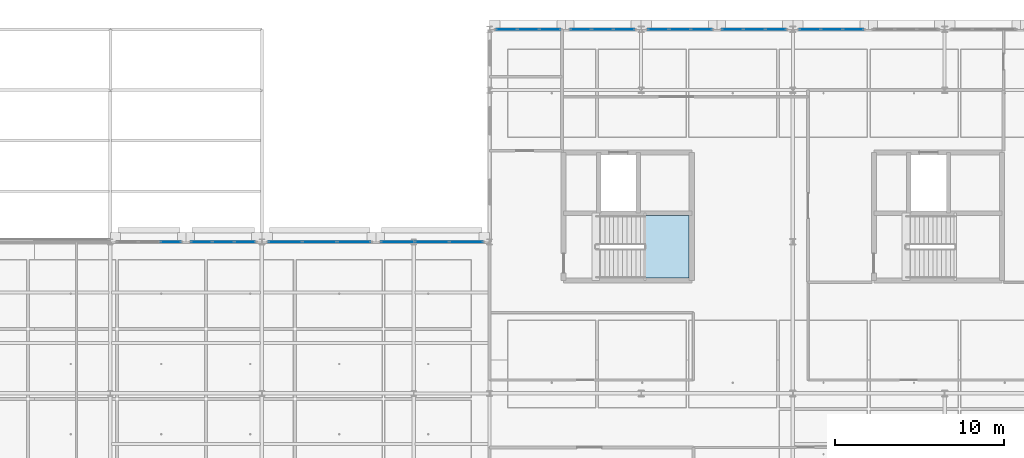
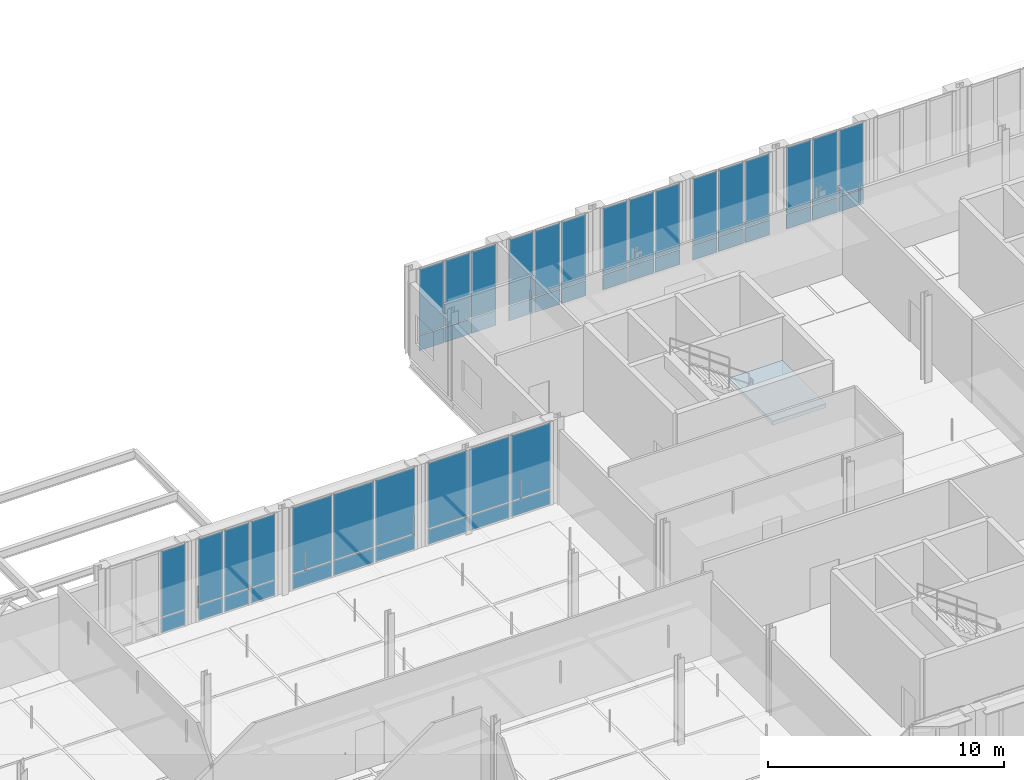
# One storey, part 76 of 140: 50 plates, 1 slab, 10 elements without a shape of their own.
"""IFC4 building model written with IfcOpenShell, lengths in metres."""

from ifc_helpers import new_model, si_unit, direction, frame, origin, origin_2d, place, context, subcontext, project, spatial, polyline, rectangle, outline, extrude, material, layer, layer_set, type_object, element, aggregate, save


model = new_model("IFC4")

# Units and contexts
model_context = context("Model", 3, precision=1e-05, world=origin(), true_north=direction((0.0, 1.0)))
body_context = subcontext(model_context, "Body", "Model", "MODEL_VIEW")
ifc_project = project(units=[si_unit("LENGTHUNIT", "METRE"), si_unit("AREAUNIT", "SQUARE_METRE"), si_unit("VOLUMEUNIT", "CUBIC_METRE"), si_unit("PLANEANGLEUNIT", "RADIAN"), si_unit("MASSUNIT", "GRAM", prefix="KILO"), si_unit("THERMODYNAMICTEMPERATUREUNIT", "KELVIN"), si_unit("POWERUNIT", "WATT")], contexts=[model_context])

# Site, building, storey
site_placement = place(None, origin())
site = spatial("IfcSite", under=ifc_project, at=site_placement, CompositionType="ELEMENT")
building_placement = place(site_placement, origin())
building = spatial("IfcBuilding", under=site, at=building_placement, Name="Tallowbark Science Centre", CompositionType="ELEMENT")
storey_placement = place(building_placement, frame((0.0, 0.0, 9.89990234375)))
storey = spatial("IfcBuildingStorey", under=building, at=storey_placement, Name="L02", CompositionType="ELEMENT", Elevation=9.89990234375)

# Curtain wall, plates
ifc_material_1 = material(Name="Unitised Thermally Broken Aluminium and Low-E Double Glazing", Category="aluminium")
curtain_wall_type = type_object("IfcCurtainWallType", Name="CW-SYS-FACADE", PredefinedType="NOTDEFINED", material=ifc_material_1)
curtain_wall_1_placement = place(storey_placement, origin())
curtain_wall_1 = element("IfcCurtainWall", 1, at=curtain_wall_1_placement, inside=storey, type_object=curtain_wall_type, Name="Unitised Curtain Wall LAB-N-90B CW-L02-073", PredefinedType="NOTDEFINED")
ifc_material_2 = material(Name="Double Glazed Argon Low-E Vision Glass", Category="glass")
ifc_layer_1 = layer(ifc_material_2, 0.028076171875)
ifc_layer_set_1 = layer_set([ifc_layer_1], Name="Double Glazed Argon Low-E Vision Glass")
plate_type_1 = type_object("IfcPlateType", Name="CWP-GLZ-28", PredefinedType="CURTAIN_PANEL", material=ifc_layer_set_1)
plate_1_placement = place(storey_placement, frame((93.583740234375, 99.0, 0.05517578125), z_axis=(0.0, 0.0, 1.0), x_axis=(-1.0, 0.0, 0.0)))
plate_1 = element("IfcPlate", 2, at=plate_1_placement, type_object=plate_type_1, Name="CW-01 panel 1.1", PredefinedType="CURTAIN_PANEL", context=body_context, shape_type="SweptSolid", body=[
    extrude(rectangle(XDim=1.202392578125, YDim=0.028076171875, at=origin_2d()), origin(), (0.0, 0.0, 1.0), 0.767578125),
])
plate_2_placement = place(storey_placement, frame((93.583740234375, 99.0, 0.87744140625), z_axis=(0.0, 0.0, 1.0), x_axis=(-1.0, 0.0, 0.0)))
plate_2 = element("IfcPlate", 3, at=plate_2_placement, type_object=plate_type_1, Name="CW-01 panel 1.2", PredefinedType="CURTAIN_PANEL", context=body_context, shape_type="SweptSolid", body=[
    extrude(rectangle(XDim=1.202392578125, YDim=0.028076171875, at=origin_2d()), origin(), (0.0, 0.0, 1.0), 3.387451171875),
])
aggregate(curtain_wall_1, [plate_1, plate_2])

curtain_wall_2_placement = place(storey_placement, origin())
curtain_wall_2 = element("IfcCurtainWall", 4, at=curtain_wall_2_placement, inside=storey, type_object=curtain_wall_type, Name="Unitised Curtain Wall LAB-N-99A CW-L02-074", PredefinedType="NOTDEFINED")
plate_3_placement = place(storey_placement, frame((111.108642578125, 99.0, 0.05517578125), z_axis=(0.0, 0.0, 1.0), x_axis=(-1.0, 0.0, 0.0)))
plate_3 = element("IfcPlate", 5, at=plate_3_placement, type_object=plate_type_1, Name="CW-01 panel 1.1", PredefinedType="CURTAIN_PANEL", context=body_context, shape_type="SweptSolid", body=[
    extrude(rectangle(XDim=1.952392578125, YDim=0.028076171875, at=origin_2d()), origin(), (0.0, 0.0, 1.0), 0.767578125),
])
plate_4_placement = place(storey_placement, frame((111.108642578125, 99.0, 0.87744140625), z_axis=(0.0, 0.0, 1.0), x_axis=(-1.0, 0.0, 0.0)))
plate_4 = element("IfcPlate", 6, at=plate_4_placement, type_object=plate_type_1, Name="CW-01 panel 1.2", PredefinedType="CURTAIN_PANEL", context=body_context, shape_type="SweptSolid", body=[
    extrude(rectangle(XDim=1.952392578125, YDim=0.028076171875, at=origin_2d()), origin(), (0.0, 0.0, 1.0), 3.387451171875),
])
plate_5_placement = place(storey_placement, frame((109.074951171875, 99.0, 0.05517578125), z_axis=(0.0, 0.0, 1.0), x_axis=(-1.0, 0.0, 0.0)))
plate_5 = element("IfcPlate", 7, at=plate_5_placement, type_object=plate_type_1, Name="CW-01 panel 2.1", PredefinedType="CURTAIN_PANEL", context=body_context, shape_type="SweptSolid", body=[
    extrude(rectangle(XDim=1.985107421875, YDim=0.028076171875, at=origin_2d()), origin(), (0.0, 0.0, 1.0), 0.767578125),
])
plate_6_placement = place(storey_placement, frame((109.074951171875, 99.0, 0.87744140625), z_axis=(0.0, 0.0, 1.0), x_axis=(-1.0, 0.0, 0.0)))
plate_6 = element("IfcPlate", 8, at=plate_6_placement, type_object=plate_type_1, Name="CW-01 panel 2.2", PredefinedType="CURTAIN_PANEL", context=body_context, shape_type="SweptSolid", body=[
    extrude(rectangle(XDim=1.985107421875, YDim=0.028076171875, at=origin_2d()), origin(), (0.0, 0.0, 1.0), 3.387451171875),
])
plate_7_placement = place(storey_placement, frame((107.041259765625, 99.0, 0.05517578125), z_axis=(0.0, 0.0, 1.0), x_axis=(-1.0, 0.0, 0.0)))
plate_7 = element("IfcPlate", 9, at=plate_7_placement, type_object=plate_type_1, Name="CW-01 panel 3.1", PredefinedType="CURTAIN_PANEL", context=body_context, shape_type="SweptSolid", body=[
    extrude(rectangle(XDim=1.952392578125, YDim=0.028076171875, at=origin_2d()), origin(), (0.0, 0.0, 1.0), 0.767578125),
])
plate_8_placement = place(storey_placement, frame((107.041259765625, 99.0, 0.87744140625), z_axis=(0.0, 0.0, 1.0), x_axis=(-1.0, 0.0, 0.0)))
plate_8 = element("IfcPlate", 10, at=plate_8_placement, type_object=plate_type_1, Name="CW-01 panel 3.2", PredefinedType="CURTAIN_PANEL", context=body_context, shape_type="SweptSolid", body=[
    extrude(rectangle(XDim=1.952392578125, YDim=0.028076171875, at=origin_2d()), origin(), (0.0, 0.0, 1.0), 3.387451171875),
])
aggregate(curtain_wall_2, [plate_3, plate_4, plate_5, plate_6, plate_7, plate_8])

curtain_wall_3_placement = place(storey_placement, origin())
curtain_wall_3 = element("IfcCurtainWall", 11, at=curtain_wall_3_placement, inside=storey, type_object=curtain_wall_type, Name="Unitised Curtain Wall OBS-N-112A CW-L02-140", PredefinedType="NOTDEFINED")
plate_9_placement = place(storey_placement, frame((120.483642578125, 111.60009765625, 0.05517578125), z_axis=(0.0, 0.0, 1.0), x_axis=(-1.0, 0.0, 0.0)))
plate_9 = element("IfcPlate", 12, at=plate_9_placement, type_object=plate_type_1, Name="CW-01 panel 1.1", PredefinedType="CURTAIN_PANEL", context=body_context, shape_type="SweptSolid", body=[
    extrude(rectangle(XDim=1.202392578125, YDim=0.028076171875, at=origin_2d()), origin(), (0.0, 0.0, 1.0), 0.767578125),
])
plate_10_placement = place(storey_placement, frame((120.483642578125, 111.60009765625, 0.87744140625), z_axis=(0.0, 0.0, 1.0), x_axis=(-1.0, 0.0, 0.0)))
plate_10 = element("IfcPlate", 13, at=plate_10_placement, type_object=plate_type_1, Name="CW-01 panel 1.2", PredefinedType="CURTAIN_PANEL", context=body_context, shape_type="SweptSolid", body=[
    extrude(rectangle(XDim=1.202392578125, YDim=0.028076171875, at=origin_2d()), origin(), (0.0, 0.0, 1.0), 3.387451171875),
])
plate_11_placement = place(storey_placement, frame((119.199951171875, 111.60009765625, 0.05517578125), z_axis=(0.0, 0.0, 1.0), x_axis=(-1.0, 0.0, 0.0)))
plate_11 = element("IfcPlate", 14, at=plate_11_placement, type_object=plate_type_1, Name="CW-01 panel 2.1", PredefinedType="CURTAIN_PANEL", context=body_context, shape_type="SweptSolid", body=[
    extrude(rectangle(XDim=1.235107421875, YDim=0.028076171875, at=origin_2d()), origin(), (0.0, 0.0, 1.0), 0.767578125),
])
plate_12_placement = place(storey_placement, frame((119.199951171875, 111.60009765625, 0.87744140625), z_axis=(0.0, 0.0, 1.0), x_axis=(-1.0, 0.0, 0.0)))
plate_12 = element("IfcPlate", 15, at=plate_12_placement, type_object=plate_type_1, Name="CW-01 panel 2.2", PredefinedType="CURTAIN_PANEL", context=body_context, shape_type="SweptSolid", body=[
    extrude(rectangle(XDim=1.235107421875, YDim=0.028076171875, at=origin_2d()), origin(), (0.0, 0.0, 1.0), 3.387451171875),
])
plate_13_placement = place(storey_placement, frame((117.916259765625, 111.60009765625, 0.05517578125), z_axis=(0.0, 0.0, 1.0), x_axis=(-1.0, 0.0, 0.0)))
plate_13 = element("IfcPlate", 16, at=plate_13_placement, type_object=plate_type_1, Name="CW-01 panel 3.1", PredefinedType="CURTAIN_PANEL", context=body_context, shape_type="SweptSolid", body=[
    extrude(rectangle(XDim=1.202392578125, YDim=0.028076171875, at=origin_2d()), origin(), (0.0, 0.0, 1.0), 0.767578125),
])
plate_14_placement = place(storey_placement, frame((117.916259765625, 111.60009765625, 0.87744140625), z_axis=(0.0, 0.0, 1.0), x_axis=(-1.0, 0.0, 0.0)))
plate_14 = element("IfcPlate", 17, at=plate_14_placement, type_object=plate_type_1, Name="CW-01 panel 3.2", PredefinedType="CURTAIN_PANEL", context=body_context, shape_type="SweptSolid", body=[
    extrude(rectangle(XDim=1.202392578125, YDim=0.028076171875, at=origin_2d()), origin(), (0.0, 0.0, 1.0), 3.387451171875),
])
aggregate(curtain_wall_3, [plate_9, plate_10, plate_11, plate_12, plate_13, plate_14])

curtain_wall_4_placement = place(storey_placement, origin())
curtain_wall_4 = element("IfcCurtainWall", 18, at=curtain_wall_4_placement, inside=storey, type_object=curtain_wall_type, Name="Unitised Curtain Wall OBS-N-121B CW-L02-145", PredefinedType="NOTDEFINED")
plate_15_placement = place(storey_placement, frame((125.083740234375, 111.60009765625, 0.05517578125), z_axis=(0.0, 0.0, 1.0), x_axis=(-1.0, 0.0, 0.0)))
plate_15 = element("IfcPlate", 19, at=plate_15_placement, type_object=plate_type_1, Name="CW-01 panel 1.1", PredefinedType="CURTAIN_PANEL", context=body_context, shape_type="SweptSolid", body=[
    extrude(rectangle(XDim=1.202392578125, YDim=0.028076171875, at=origin_2d()), origin(), (0.0, 0.0, 1.0), 0.767578125),
])
plate_16_placement = place(storey_placement, frame((125.083740234375, 111.60009765625, 0.87744140625), z_axis=(0.0, 0.0, 1.0), x_axis=(-1.0, 0.0, 0.0)))
plate_16 = element("IfcPlate", 20, at=plate_16_placement, type_object=plate_type_1, Name="CW-01 panel 1.2", PredefinedType="CURTAIN_PANEL", context=body_context, shape_type="SweptSolid", body=[
    extrude(rectangle(XDim=1.202392578125, YDim=0.028076171875, at=origin_2d()), origin(), (0.0, 0.0, 1.0), 3.387451171875),
])
plate_17_placement = place(storey_placement, frame((123.800048828125, 111.60009765625, 0.05517578125), z_axis=(0.0, 0.0, 1.0), x_axis=(-1.0, 0.0, 0.0)))
plate_17 = element("IfcPlate", 21, at=plate_17_placement, type_object=plate_type_1, Name="CW-01 panel 2.1", PredefinedType="CURTAIN_PANEL", context=body_context, shape_type="SweptSolid", body=[
    extrude(rectangle(XDim=1.235107421875, YDim=0.028076171875, at=origin_2d()), origin(), (0.0, 0.0, 1.0), 0.767578125),
])
plate_18_placement = place(storey_placement, frame((123.800048828125, 111.60009765625, 0.87744140625), z_axis=(0.0, 0.0, 1.0), x_axis=(-1.0, 0.0, 0.0)))
plate_18 = element("IfcPlate", 22, at=plate_18_placement, type_object=plate_type_1, Name="CW-01 panel 2.2", PredefinedType="CURTAIN_PANEL", context=body_context, shape_type="SweptSolid", body=[
    extrude(rectangle(XDim=1.235107421875, YDim=0.028076171875, at=origin_2d()), origin(), (0.0, 0.0, 1.0), 3.387451171875),
])
plate_19_placement = place(storey_placement, frame((122.516357421875, 111.60009765625, 0.05517578125), z_axis=(0.0, 0.0, 1.0), x_axis=(-1.0, 0.0, 0.0)))
plate_19 = element("IfcPlate", 23, at=plate_19_placement, type_object=plate_type_1, Name="CW-01 panel 3.1", PredefinedType="CURTAIN_PANEL", context=body_context, shape_type="SweptSolid", body=[
    extrude(rectangle(XDim=1.202392578125, YDim=0.028076171875, at=origin_2d()), origin(), (0.0, 0.0, 1.0), 0.767578125),
])
plate_20_placement = place(storey_placement, frame((122.516357421875, 111.60009765625, 0.87744140625), z_axis=(0.0, 0.0, 1.0), x_axis=(-1.0, 0.0, 0.0)))
plate_20 = element("IfcPlate", 24, at=plate_20_placement, type_object=plate_type_1, Name="CW-01 panel 3.2", PredefinedType="CURTAIN_PANEL", context=body_context, shape_type="SweptSolid", body=[
    extrude(rectangle(XDim=1.202392578125, YDim=0.028076171875, at=origin_2d()), origin(), (0.0, 0.0, 1.0), 3.387451171875),
])
aggregate(curtain_wall_4, [plate_15, plate_16, plate_17, plate_18, plate_19, plate_20])

curtain_wall_5_placement = place(storey_placement, origin())
curtain_wall_5 = element("IfcCurtainWall", 25, at=curtain_wall_5_placement, inside=storey, type_object=curtain_wall_type, Name="Unitised Curtain Wall OBS-N-130B CW-L02-149", PredefinedType="NOTDEFINED")
plate_21_placement = place(storey_placement, frame((134.083740234375, 111.60009765625, 0.05517578125), z_axis=(0.0, 0.0, 1.0), x_axis=(-1.0, 0.0, 0.0)))
plate_21 = element("IfcPlate", 26, at=plate_21_placement, type_object=plate_type_1, Name="CW-01 panel 1.1", PredefinedType="CURTAIN_PANEL", context=body_context, shape_type="SweptSolid", body=[
    extrude(rectangle(XDim=1.202392578125, YDim=0.028076171875, at=origin_2d()), origin(), (0.0, 0.0, 1.0), 0.767578125),
])
plate_22_placement = place(storey_placement, frame((134.083740234375, 111.60009765625, 0.87744140625), z_axis=(0.0, 0.0, 1.0), x_axis=(-1.0, 0.0, 0.0)))
plate_22 = element("IfcPlate", 27, at=plate_22_placement, type_object=plate_type_1, Name="CW-01 panel 1.2", PredefinedType="CURTAIN_PANEL", context=body_context, shape_type="SweptSolid", body=[
    extrude(rectangle(XDim=1.202392578125, YDim=0.028076171875, at=origin_2d()), origin(), (0.0, 0.0, 1.0), 3.387451171875),
])
plate_23_placement = place(storey_placement, frame((132.800048828125, 111.60009765625, 0.05517578125), z_axis=(0.0, 0.0, 1.0), x_axis=(-1.0, 0.0, 0.0)))
plate_23 = element("IfcPlate", 28, at=plate_23_placement, type_object=plate_type_1, Name="CW-01 panel 2.1", PredefinedType="CURTAIN_PANEL", context=body_context, shape_type="SweptSolid", body=[
    extrude(rectangle(XDim=1.235107421875, YDim=0.028076171875, at=origin_2d()), origin(), (0.0, 0.0, 1.0), 0.767578125),
])
plate_24_placement = place(storey_placement, frame((132.800048828125, 111.60009765625, 0.87744140625), z_axis=(0.0, 0.0, 1.0), x_axis=(-1.0, 0.0, 0.0)))
plate_24 = element("IfcPlate", 29, at=plate_24_placement, type_object=plate_type_1, Name="CW-01 panel 2.2", PredefinedType="CURTAIN_PANEL", context=body_context, shape_type="SweptSolid", body=[
    extrude(rectangle(XDim=1.235107421875, YDim=0.028076171875, at=origin_2d()), origin(), (0.0, 0.0, 1.0), 3.387451171875),
])
plate_25_placement = place(storey_placement, frame((131.516357421875, 111.60009765625, 0.05517578125), z_axis=(0.0, 0.0, 1.0), x_axis=(-1.0, 0.0, 0.0)))
plate_25 = element("IfcPlate", 30, at=plate_25_placement, type_object=plate_type_1, Name="CW-01 panel 3.1", PredefinedType="CURTAIN_PANEL", context=body_context, shape_type="SweptSolid", body=[
    extrude(rectangle(XDim=1.202392578125, YDim=0.028076171875, at=origin_2d()), origin(), (0.0, 0.0, 1.0), 0.767578125),
])
plate_26_placement = place(storey_placement, frame((131.516357421875, 111.60009765625, 0.87744140625), z_axis=(0.0, 0.0, 1.0), x_axis=(-1.0, 0.0, 0.0)))
plate_26 = element("IfcPlate", 31, at=plate_26_placement, type_object=plate_type_1, Name="CW-01 panel 3.2", PredefinedType="CURTAIN_PANEL", context=body_context, shape_type="SweptSolid", body=[
    extrude(rectangle(XDim=1.202392578125, YDim=0.028076171875, at=origin_2d()), origin(), (0.0, 0.0, 1.0), 3.387451171875),
])
aggregate(curtain_wall_5, [plate_21, plate_22, plate_23, plate_24, plate_25, plate_26])

curtain_wall_6_placement = place(storey_placement, origin())
curtain_wall_6 = element("IfcCurtainWall", 32, at=curtain_wall_6_placement, inside=storey, type_object=curtain_wall_type, Name="Unitised Curtain Wall LAB-N-90A CW-L02-072", PredefinedType="NOTDEFINED")
ifc_material_3 = material(Name="Ceramic-Fritted Insulated Glass Spandrel Panel", Category="glass")
ifc_layer_2 = layer(ifc_material_3, 0.031982421875)
ifc_layer_set_2 = layer_set([ifc_layer_2], Name="Ceramic-Fritted Insulated Glass Spandrel Panel")
plate_type_2 = type_object("IfcPlateType", Name="CWP-SPN-32", PredefinedType="CURTAIN_PANEL", material=ifc_layer_set_2)
plate_27_placement = place(storey_placement, frame((97.983642578125, 99.0, 0.05517578125), z_axis=(0.0, 0.0, 1.0), x_axis=(-1.0, 0.0, 0.0)))
plate_27 = element("IfcPlate", 33, at=plate_27_placement, type_object=plate_type_2, Name="CW-01 panel 1.1", PredefinedType="CURTAIN_PANEL", context=body_context, shape_type="SweptSolid", body=[
    extrude(rectangle(XDim=1.202392578125, YDim=0.031982421875, at=origin_2d()), origin(), (0.0, 0.0, 1.0), 0.767578125),
])
plate_28_placement = place(storey_placement, frame((97.983642578125, 99.0, 0.87744140625), z_axis=(0.0, 0.0, 1.0), x_axis=(-1.0, 0.0, 0.0)))
plate_28 = element("IfcPlate", 34, at=plate_28_placement, type_object=plate_type_2, Name="CW-01 panel 1.2", PredefinedType="CURTAIN_PANEL", context=body_context, shape_type="SweptSolid", body=[
    extrude(rectangle(XDim=1.202392578125, YDim=0.031982421875, at=origin_2d()), origin(), (0.0, 0.0, 1.0), 3.387451171875),
])
plate_29_placement = place(storey_placement, frame((96.699951171875, 99.0, 0.05517578125), z_axis=(0.0, 0.0, 1.0), x_axis=(-1.0, 0.0, 0.0)))
plate_29 = element("IfcPlate", 35, at=plate_29_placement, type_object=plate_type_2, Name="CW-01 panel 2.1", PredefinedType="CURTAIN_PANEL", context=body_context, shape_type="SweptSolid", body=[
    extrude(rectangle(XDim=1.235107421875, YDim=0.031982421875, at=origin_2d()), origin(), (0.0, 0.0, 1.0), 0.767578125),
])
plate_30_placement = place(storey_placement, frame((96.699951171875, 99.0, 0.87744140625), z_axis=(0.0, 0.0, 1.0), x_axis=(-1.0, 0.0, 0.0)))
plate_30 = element("IfcPlate", 36, at=plate_30_placement, type_object=plate_type_2, Name="CW-01 panel 2.2", PredefinedType="CURTAIN_PANEL", context=body_context, shape_type="SweptSolid", body=[
    extrude(rectangle(XDim=1.235107421875, YDim=0.031982421875, at=origin_2d()), origin(), (0.0, 0.0, 1.0), 3.387451171875),
])
plate_31_placement = place(storey_placement, frame((95.416259765625, 99.0, 0.05517578125), z_axis=(0.0, 0.0, 1.0), x_axis=(-1.0, 0.0, 0.0)))
plate_31 = element("IfcPlate", 37, at=plate_31_placement, type_object=plate_type_2, Name="CW-01 panel 3.1", PredefinedType="CURTAIN_PANEL", context=body_context, shape_type="SweptSolid", body=[
    extrude(rectangle(XDim=1.202392578125, YDim=0.031982421875, at=origin_2d()), origin(), (0.0, 0.0, 1.0), 0.767578125),
])
plate_32_placement = place(storey_placement, frame((95.416259765625, 99.0, 0.87744140625), z_axis=(0.0, 0.0, 1.0), x_axis=(-1.0, 0.0, 0.0)))
plate_32 = element("IfcPlate", 38, at=plate_32_placement, type_object=plate_type_2, Name="CW-01 panel 3.2", PredefinedType="CURTAIN_PANEL", context=body_context, shape_type="SweptSolid", body=[
    extrude(rectangle(XDim=1.202392578125, YDim=0.031982421875, at=origin_2d()), origin(), (0.0, 0.0, 1.0), 3.387451171875),
])
aggregate(curtain_wall_6, [plate_27, plate_28, plate_29, plate_30, plate_31, plate_32])

curtain_wall_7_placement = place(storey_placement, origin())
curtain_wall_7 = element("IfcCurtainWall", 39, at=curtain_wall_7_placement, inside=storey, type_object=curtain_wall_type, Name="Unitised Curtain Wall LAB-N-99B CW-L02-075", PredefinedType="NOTDEFINED")
plate_33_placement = place(storey_placement, frame((104.458740234375, 99.0, 0.05517578125), z_axis=(0.0, 0.0, 1.0), x_axis=(-1.0, 0.0, 0.0)))
plate_33 = element("IfcPlate", 40, at=plate_33_placement, type_object=plate_type_2, Name="CW-01 panel 1.1", PredefinedType="CURTAIN_PANEL", context=body_context, shape_type="SweptSolid", body=[
    extrude(rectangle(XDim=1.952392578125, YDim=0.031982421875, at=origin_2d()), origin(), (0.0, 0.0, 1.0), 0.767578125),
])
plate_34_placement = place(storey_placement, frame((104.458740234375, 99.0, 0.87744140625), z_axis=(0.0, 0.0, 1.0), x_axis=(-1.0, 0.0, 0.0)))
plate_34 = element("IfcPlate", 41, at=plate_34_placement, type_object=plate_type_2, Name="CW-01 panel 1.2", PredefinedType="CURTAIN_PANEL", context=body_context, shape_type="SweptSolid", body=[
    extrude(rectangle(XDim=1.952392578125, YDim=0.031982421875, at=origin_2d()), origin(), (0.0, 0.0, 1.0), 3.387451171875),
])
plate_35_placement = place(storey_placement, frame((102.425048828125, 99.0, 0.05517578125), z_axis=(0.0, 0.0, 1.0), x_axis=(-1.0, 0.0, 0.0)))
plate_35 = element("IfcPlate", 42, at=plate_35_placement, type_object=plate_type_2, Name="CW-01 panel 2.1", PredefinedType="CURTAIN_PANEL", context=body_context, shape_type="SweptSolid", body=[
    extrude(rectangle(XDim=1.985107421875, YDim=0.031982421875, at=origin_2d()), origin(), (0.0, 0.0, 1.0), 0.767578125),
])
plate_36_placement = place(storey_placement, frame((102.425048828125, 99.0, 0.87744140625), z_axis=(0.0, 0.0, 1.0), x_axis=(-1.0, 0.0, 0.0)))
plate_36 = element("IfcPlate", 43, at=plate_36_placement, type_object=plate_type_2, Name="CW-01 panel 2.2", PredefinedType="CURTAIN_PANEL", context=body_context, shape_type="SweptSolid", body=[
    extrude(rectangle(XDim=1.985107421875, YDim=0.031982421875, at=origin_2d()), origin(), (0.0, 0.0, 1.0), 3.387451171875),
])
plate_37_placement = place(storey_placement, frame((100.391357421875, 99.0, 0.05517578125), z_axis=(0.0, 0.0, 1.0), x_axis=(-1.0, 0.0, 0.0)))
plate_37 = element("IfcPlate", 44, at=plate_37_placement, type_object=plate_type_2, Name="CW-01 panel 3.1", PredefinedType="CURTAIN_PANEL", context=body_context, shape_type="SweptSolid", body=[
    extrude(rectangle(XDim=1.952392578125, YDim=0.031982421875, at=origin_2d()), origin(), (0.0, 0.0, 1.0), 0.767578125),
])
plate_38_placement = place(storey_placement, frame((100.391357421875, 99.0, 0.87744140625), z_axis=(0.0, 0.0, 1.0), x_axis=(-1.0, 0.0, 0.0)))
plate_38 = element("IfcPlate", 45, at=plate_38_placement, type_object=plate_type_2, Name="CW-01 panel 3.2", PredefinedType="CURTAIN_PANEL", context=body_context, shape_type="SweptSolid", body=[
    extrude(rectangle(XDim=1.952392578125, YDim=0.031982421875, at=origin_2d()), origin(), (0.0, 0.0, 1.0), 3.387451171875),
])
aggregate(curtain_wall_7, [plate_33, plate_34, plate_35, plate_36, plate_37, plate_38])

curtain_wall_8_placement = place(storey_placement, origin())
curtain_wall_8 = element("IfcCurtainWall", 46, at=curtain_wall_8_placement, inside=storey, type_object=curtain_wall_type, Name="Unitised Curtain Wall OBS-N-112B CW-L02-141", PredefinedType="NOTDEFINED")
plate_39_placement = place(storey_placement, frame((116.083740234375, 111.60009765625, 0.05517578125), z_axis=(0.0, 0.0, 1.0), x_axis=(-1.0, 0.0, 0.0)))
plate_39 = element("IfcPlate", 47, at=plate_39_placement, type_object=plate_type_2, Name="CW-01 panel 1.1", PredefinedType="CURTAIN_PANEL", context=body_context, shape_type="SweptSolid", body=[
    extrude(rectangle(XDim=1.202392578125, YDim=0.031982421875, at=origin_2d()), origin(), (0.0, 0.0, 1.0), 0.767578125),
])
plate_40_placement = place(storey_placement, frame((116.083740234375, 111.60009765625, 0.87744140625), z_axis=(0.0, 0.0, 1.0), x_axis=(-1.0, 0.0, 0.0)))
plate_40 = element("IfcPlate", 48, at=plate_40_placement, type_object=plate_type_2, Name="CW-01 panel 1.2", PredefinedType="CURTAIN_PANEL", context=body_context, shape_type="SweptSolid", body=[
    extrude(rectangle(XDim=1.202392578125, YDim=0.031982421875, at=origin_2d()), origin(), (0.0, 0.0, 1.0), 3.387451171875),
])
plate_41_placement = place(storey_placement, frame((114.800048828125, 111.60009765625, 0.05517578125), z_axis=(0.0, 0.0, 1.0), x_axis=(-1.0, 0.0, 0.0)))
plate_41 = element("IfcPlate", 49, at=plate_41_placement, type_object=plate_type_2, Name="CW-01 panel 2.1", PredefinedType="CURTAIN_PANEL", context=body_context, shape_type="SweptSolid", body=[
    extrude(rectangle(XDim=1.235107421875, YDim=0.031982421875, at=origin_2d()), origin(), (0.0, 0.0, 1.0), 0.767578125),
])
plate_42_placement = place(storey_placement, frame((114.800048828125, 111.60009765625, 0.87744140625), z_axis=(0.0, 0.0, 1.0), x_axis=(-1.0, 0.0, 0.0)))
plate_42 = element("IfcPlate", 50, at=plate_42_placement, type_object=plate_type_2, Name="CW-01 panel 2.2", PredefinedType="CURTAIN_PANEL", context=body_context, shape_type="SweptSolid", body=[
    extrude(rectangle(XDim=1.235107421875, YDim=0.031982421875, at=origin_2d()), origin(), (0.0, 0.0, 1.0), 3.387451171875),
])
plate_43_placement = place(storey_placement, frame((113.516357421875, 111.60009765625, 0.05517578125), z_axis=(0.0, 0.0, 1.0), x_axis=(-1.0, 0.0, 0.0)))
plate_43 = element("IfcPlate", 51, at=plate_43_placement, type_object=plate_type_2, Name="CW-01 panel 3.1", PredefinedType="CURTAIN_PANEL", context=body_context, shape_type="SweptSolid", body=[
    extrude(rectangle(XDim=1.202392578125, YDim=0.031982421875, at=origin_2d()), origin(), (0.0, 0.0, 1.0), 0.767578125),
])
plate_44_placement = place(storey_placement, frame((113.516357421875, 111.60009765625, 0.87744140625), z_axis=(0.0, 0.0, 1.0), x_axis=(-1.0, 0.0, 0.0)))
plate_44 = element("IfcPlate", 52, at=plate_44_placement, type_object=plate_type_2, Name="CW-01 panel 3.2", PredefinedType="CURTAIN_PANEL", context=body_context, shape_type="SweptSolid", body=[
    extrude(rectangle(XDim=1.202392578125, YDim=0.031982421875, at=origin_2d()), origin(), (0.0, 0.0, 1.0), 3.387451171875),
])
aggregate(curtain_wall_8, [plate_39, plate_40, plate_41, plate_42, plate_43, plate_44])

curtain_wall_9_placement = place(storey_placement, origin())
curtain_wall_9 = element("IfcCurtainWall", 53, at=curtain_wall_9_placement, inside=storey, type_object=curtain_wall_type, Name="Unitised Curtain Wall OBS-N-121A CW-L02-144", PredefinedType="NOTDEFINED")
plate_45_placement = place(storey_placement, frame((129.483642578125, 111.60009765625, 0.05517578125), z_axis=(0.0, 0.0, 1.0), x_axis=(-1.0, 0.0, 0.0)))
plate_45 = element("IfcPlate", 54, at=plate_45_placement, type_object=plate_type_2, Name="CW-01 panel 1.1", PredefinedType="CURTAIN_PANEL", context=body_context, shape_type="SweptSolid", body=[
    extrude(rectangle(XDim=1.202392578125, YDim=0.031982421875, at=origin_2d()), origin(), (0.0, 0.0, 1.0), 0.767578125),
])
plate_46_placement = place(storey_placement, frame((129.483642578125, 111.60009765625, 0.87744140625), z_axis=(0.0, 0.0, 1.0), x_axis=(-1.0, 0.0, 0.0)))
plate_46 = element("IfcPlate", 55, at=plate_46_placement, type_object=plate_type_2, Name="CW-01 panel 1.2", PredefinedType="CURTAIN_PANEL", context=body_context, shape_type="SweptSolid", body=[
    extrude(rectangle(XDim=1.202392578125, YDim=0.031982421875, at=origin_2d()), origin(), (0.0, 0.0, 1.0), 3.387451171875),
])
plate_47_placement = place(storey_placement, frame((128.199951171875, 111.60009765625, 0.05517578125), z_axis=(0.0, 0.0, 1.0), x_axis=(-1.0, 0.0, 0.0)))
plate_47 = element("IfcPlate", 56, at=plate_47_placement, type_object=plate_type_2, Name="CW-01 panel 2.1", PredefinedType="CURTAIN_PANEL", context=body_context, shape_type="SweptSolid", body=[
    extrude(rectangle(XDim=1.235107421875, YDim=0.031982421875, at=origin_2d()), origin(), (0.0, 0.0, 1.0), 0.767578125),
])
plate_48_placement = place(storey_placement, frame((128.199951171875, 111.60009765625, 0.87744140625), z_axis=(0.0, 0.0, 1.0), x_axis=(-1.0, 0.0, 0.0)))
plate_48 = element("IfcPlate", 57, at=plate_48_placement, type_object=plate_type_2, Name="CW-01 panel 2.2", PredefinedType="CURTAIN_PANEL", context=body_context, shape_type="SweptSolid", body=[
    extrude(rectangle(XDim=1.235107421875, YDim=0.031982421875, at=origin_2d()), origin(), (0.0, 0.0, 1.0), 3.387451171875),
])
plate_49_placement = place(storey_placement, frame((126.916259765625, 111.60009765625, 0.05517578125), z_axis=(0.0, 0.0, 1.0), x_axis=(-1.0, 0.0, 0.0)))
plate_49 = element("IfcPlate", 58, at=plate_49_placement, type_object=plate_type_2, Name="CW-01 panel 3.1", PredefinedType="CURTAIN_PANEL", context=body_context, shape_type="SweptSolid", body=[
    extrude(rectangle(XDim=1.202392578125, YDim=0.031982421875, at=origin_2d()), origin(), (0.0, 0.0, 1.0), 0.767578125),
])
plate_50_placement = place(storey_placement, frame((126.916259765625, 111.60009765625, 0.87744140625), z_axis=(0.0, 0.0, 1.0), x_axis=(-1.0, 0.0, 0.0)))
plate_50 = element("IfcPlate", 59, at=plate_50_placement, type_object=plate_type_2, Name="CW-01 panel 3.2", PredefinedType="CURTAIN_PANEL", context=body_context, shape_type="SweptSolid", body=[
    extrude(rectangle(XDim=1.202392578125, YDim=0.031982421875, at=origin_2d()), origin(), (0.0, 0.0, 1.0), 3.387451171875),
])
aggregate(curtain_wall_9, [plate_45, plate_46, plate_47, plate_48, plate_49, plate_50])

# Stair, slab
ifc_material_4 = material(Name="Concrete Grade N40 (40 MPa)", Category="concrete")
stair_type = type_object("IfcStairType", Name="STR-C5", PredefinedType="HALF_TURN_STAIR", material=ifc_material_4)
stair_placement = place(storey_placement, origin())
stair = element("IfcStair", 60, at=stair_placement, inside=storey, type_object=stair_type, Name="L02 Fire Stair ST-05", PredefinedType="HALF_TURN_STAIR")
ifc_layer_3 = layer(ifc_material_4, 0.199951171875)
ifc_layer_set_3 = layer_set([ifc_layer_3], Name="Concrete Grade N40 (40 MPa)")
slab_type = type_object("IfcSlabType", Name="SLB-LND-200", PredefinedType="LANDING", material=ifc_layer_set_3)
slab_placement = place(storey_placement, frame((0.0, 0.0, 2.050048828125)))
slab = element("IfcSlab", 61, at=slab_placement, type_object=slab_type, Name="ST-05 landing 1", PredefinedType="LANDING", context=body_context, shape_type="SweptSolid", body=[
    extrude(outline(polyline([(121.72509765625, 96.85009765625), (124.35009765625, 96.85009765625), (124.35009765625, 100.570068359375), (121.72509765625, 100.570068359375), (121.72509765625, 96.85009765625)])), origin(), (0.0, 0.0, 1.0), 0.199951171875),
])
aggregate(stair, [slab])

save(model, "model.ifc")
